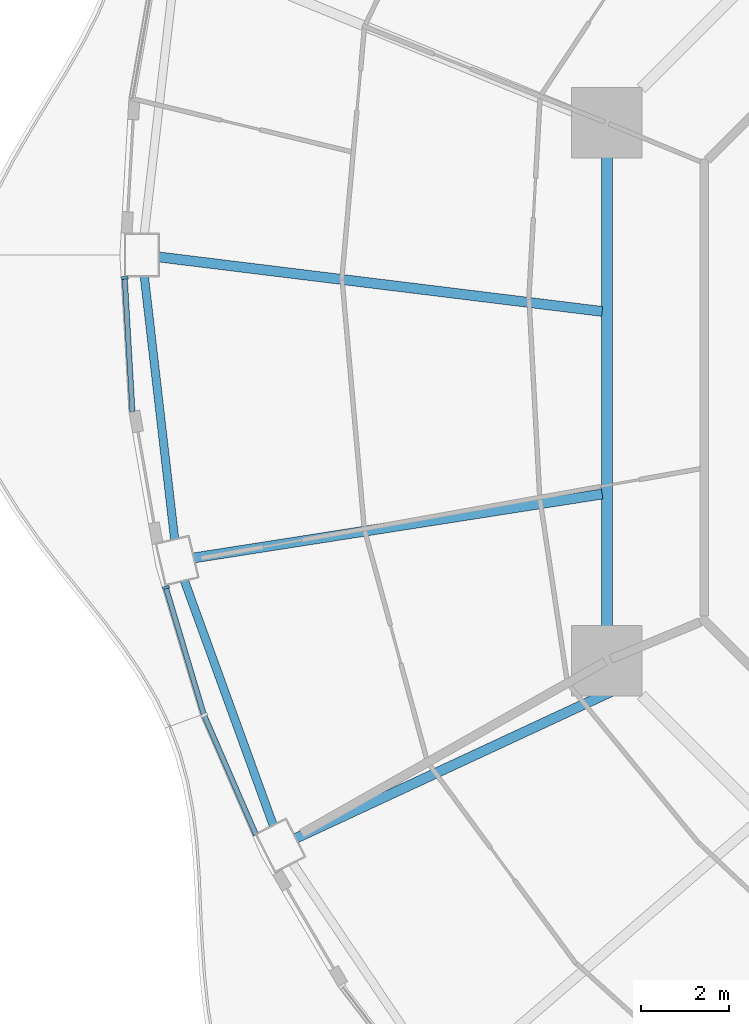
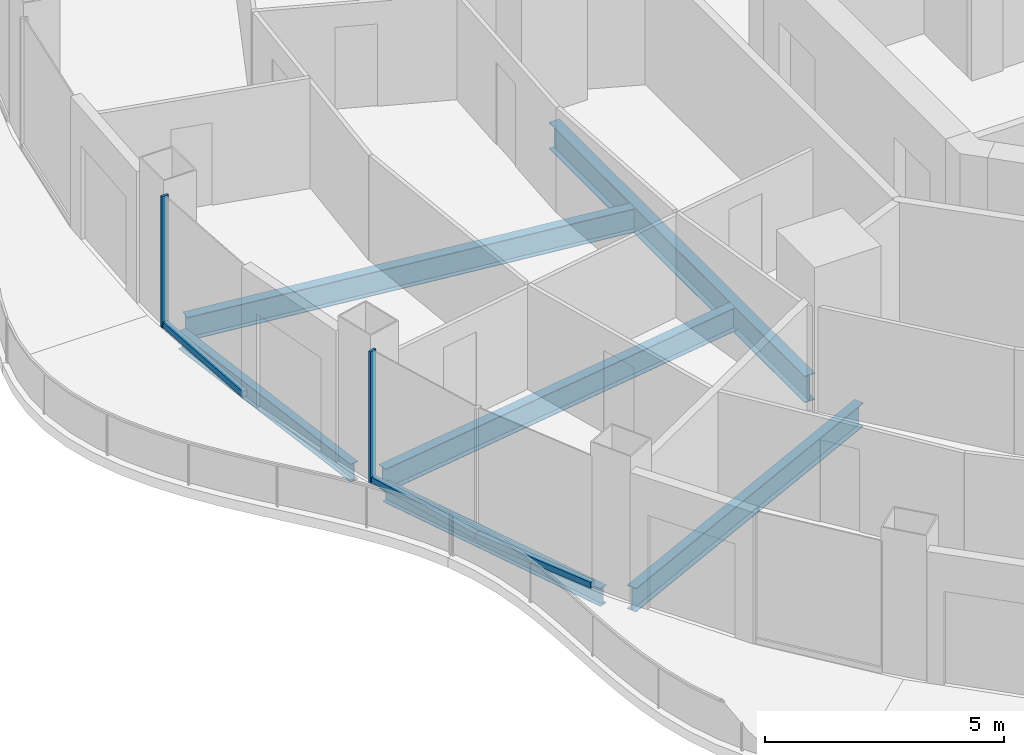
# One storey, part 3 of 18: 6 beams, 5 members, 3 elements without a shape of their own.
"""IFC4 building model written with IfcOpenShell, lengths in metres."""

from ifc_helpers import new_model, si_unit, direction, frame, origin, origin_2d, place, context, subcontext, project, spatial, rectangle, i_section, extrude, material, layer, layer_set, material_profile, profile_set, type_object, element, aggregate, save


model = new_model("IFC4")

# Units and contexts
model_context = context("Model", 3, precision=1e-05, world=origin(), true_north=direction((0.0, 1.0)))
body_context = subcontext(model_context, "Body", "Model", "MODEL_VIEW")
ifc_project = project(units=[si_unit("LENGTHUNIT", "METRE"), si_unit("AREAUNIT", "SQUARE_METRE"), si_unit("VOLUMEUNIT", "CUBIC_METRE"), si_unit("PLANEANGLEUNIT", "RADIAN"), si_unit("MASSUNIT", "GRAM", prefix="KILO")], contexts=[model_context])

# Site, building, storey
site_placement = place(None, origin())
site = spatial("IfcSite", under=ifc_project, at=site_placement, CompositionType="ELEMENT")
building_placement = place(site_placement, origin())
building = spatial("IfcBuilding", under=site, at=building_placement, Name="Nagisa Residences", CompositionType="ELEMENT")
storey_placement = place(building_placement, frame((0.0, 0.0, 249.199951171875)))
storey = spatial("IfcBuildingStorey", under=building, at=storey_placement, Name="L63", CompositionType="ELEMENT", Elevation=249.199951171875)

# Curtain wall, member
ifc_material_1 = material(Name="Concrete-coloured aluminium curtain wall system", Category="concrete")
ifc_layer = layer(ifc_material_1, 0.159912109375)
ifc_layer_set = layer_set([ifc_layer], Name="CW1 CURTAIN WALL")
curtain_wall_type = type_object("IfcCurtainWallType", Name="CW1 CURTAIN WALL", PredefinedType="NOTDEFINED", material=ifc_layer_set)
curtain_wall_1_placement = place(storey_placement, origin())
curtain_wall_1 = element("IfcCurtainWall", 1, at=curtain_wall_1_placement, inside=storey, type_object=curtain_wall_type, Name="cw:CW1:L63:24", PredefinedType="NOTDEFINED")
ifc_material_2 = material(Name="Concrete-coloured aluminium", Category="concrete")
ifc_material_profile_1 = material_profile(ifc_material_2, rectangle(XDim=0.159912109375, YDim=0.06005859375, at=origin_2d()), Name="CW1 MULLION 160x60")
ifc_profile_set_1 = profile_set([ifc_material_profile_1], Name="Concrete-coloured aluminium")
member_type_1 = type_object("IfcMemberType", Name="CW1 MULLION 160x60", PredefinedType="MULLION", material=ifc_profile_set_1)
member_1_placement = place(storey_placement, frame((-25.759765625, 2.59326171875, 0.0), z_axis=(0.0, 0.0, 1.0), x_axis=(0.998345305184, 0.057503492216, 0.0)))
member_1 = element("IfcMember", 2, at=member_1_placement, type_object=member_type_1, Name="CW1 mullion", PredefinedType="MULLION", context=body_context, shape_type="SweptSolid", body=[
    extrude(rectangle(XDim=0.159912109375, YDim=0.06005859375, at=origin_2d()), origin(), (0.0, 0.0, 1.0), 3.35009765625),
])

curtain_wall_2_placement = place(storey_placement, origin())
curtain_wall_2 = element("IfcCurtainWall", 3, at=curtain_wall_2_placement, inside=storey, type_object=curtain_wall_type, Name="cw:CW1:L63:26", PredefinedType="NOTDEFINED")
member_2_placement = place(storey_placement, frame((-24.82177734375, -4.456298828125, 0.0), z_axis=(0.0, 0.0, 1.0), x_axis=(0.958271310082, 0.285860274038, 0.0)))
member_2 = element("IfcMember", 4, at=member_2_placement, type_object=member_type_1, Name="CW1 mullion", PredefinedType="MULLION", context=body_context, shape_type="SweptSolid", body=[
    extrude(rectangle(XDim=0.159912109375, YDim=0.06005859375, at=origin_2d()), origin(), (0.0, 0.0, 1.0), 3.35009765625),
])

# Member
ifc_material_3 = material(Name="Concrete-coloured aluminium", Category="concrete")
ifc_material_profile_2 = material_profile(ifc_material_3, rectangle(XDim=0.1201171875, YDim=0.14990234375, at=origin_2d()), Name="CW1 TRANSOM 120x150")
ifc_profile_set_2 = profile_set([ifc_material_profile_2], Name="Concrete-coloured aluminium")
member_type_2 = type_object("IfcMemberType", Name="CW1 TRANSOM 120x150", PredefinedType="USERDEFINED", material=ifc_profile_set_2)
member_3_placement = place(storey_placement, frame((-25.761474609375, 2.623046875, 0.074951171875), z_axis=(0.057528189427, -0.998343882348, 0.0), x_axis=(0.998343882348, 0.057528189427, 0.0)))
member_3 = element("IfcMember", 5, at=member_3_placement, type_object=member_type_2, Name="CW1 transom", ObjectType="TRANSOM", PredefinedType="USERDEFINED", context=body_context, shape_type="SweptSolid", body=[
    extrude(rectangle(XDim=0.1201171875, YDim=0.14990234375, at=origin_2d()), origin(), (0.0, 0.0, 1.0), 3.0810546875),
])

aggregate(curtain_wall_1, [member_1, member_3])

member_4_placement = place(storey_placement, frame((-24.830322265625, -4.427734375, 0.074951171875), z_axis=(0.285881452443, -0.958264992134, 0.0), x_axis=(0.958264992134, 0.285881452443, 0.0)))
member_4 = element("IfcMember", 6, at=member_4_placement, type_object=member_type_2, Name="CW1 transom", ObjectType="TRANSOM", PredefinedType="USERDEFINED", context=body_context, shape_type="SweptSolid", body=[
    extrude(rectangle(XDim=0.1201171875, YDim=0.14990234375, at=origin_2d()), origin(), (0.0, 0.0, 1.0), 3.040283203125),
])

aggregate(curtain_wall_2, [member_2, member_4])

# Curtain wall, member
curtain_wall_3_placement = place(storey_placement, origin())
curtain_wall_3 = element("IfcCurtainWall", 7, at=curtain_wall_3_placement, inside=storey, type_object=curtain_wall_type, Name="cw:CW1:L63:27", PredefinedType="NOTDEFINED")
member_5_placement = place(storey_placement, frame((-23.96435546875, -7.332275390625, 0.074951171875), z_axis=(0.397616567135, -0.917551669139, 0.0), x_axis=(0.917551669139, 0.397616567135, 0.0)))
member_5 = element("IfcMember", 8, at=member_5_placement, type_object=member_type_2, Name="CW1 transom", ObjectType="TRANSOM", PredefinedType="USERDEFINED", context=body_context, shape_type="SweptSolid", body=[
    extrude(rectangle(XDim=0.1201171875, YDim=0.14990234375, at=origin_2d()), origin(), (0.0, 0.0, 1.0), 3.001953125),
])
aggregate(curtain_wall_3, [member_5])

# Beams
ifc_material_4 = material(Name="Steel ASTM A572 Gr 50", Category="steel")
ifc_material_profile_3 = material_profile(ifc_material_4, i_section(OverallWidth=0.2529296875, OverallDepth=0.677978515625, WebThickness=0.01171875, FlangeThickness=0.016357421875, at=origin_2d()), Name="W690x125")
ifc_profile_set_3 = profile_set([ifc_material_profile_3], Name="Steel ASTM A572 Gr 50")
beam_type_1 = type_object("IfcBeamType", Name="Inner ring beam W690x125", PredefinedType="BEAM", material=ifc_profile_set_3)
beam_1_placement = place(storey_placement, frame((-14.781982421875, 5.343017578125, -0.598876953125), z_axis=(0.0, -1.0, 0.0), x_axis=(1.0, 0.0, 0.0)))
element("IfcBeam", 9, at=beam_1_placement, inside=storey, type_object=beam_type_1, Name="beam:L63:ib4", PredefinedType="BEAM", context=body_context, shape_type="SweptSolid", body=[
    extrude(i_section(OverallWidth=0.2529296875, OverallDepth=0.677978515625, WebThickness=0.01171875, FlangeThickness=0.016357421875, at=origin_2d()), origin(), (0.0, 0.0, 1.0), 10.68603515625),
])
ifc_material_5 = material(Name="Steel ASTM A572 Gr 50", Category="steel")
ifc_material_profile_4 = material_profile(ifc_material_5, i_section(OverallWidth=0.18994140625, OverallDepth=0.45703125, WebThickness=0.009033203125, FlangeThickness=0.014404296875, at=origin_2d()), Name="W460x74")
ifc_profile_set_4 = profile_set([ifc_material_profile_4], Name="Steel ASTM A572 Gr 50")
beam_type_2 = type_object("IfcBeamType", Name="Perimeter ring beam W460x74", PredefinedType="BEAM", material=ifc_profile_set_4)
beam_2_placement = place(storey_placement, frame((-25.314697265625, 2.637451171875, -0.488525390625), z_axis=(0.114650193512, -0.993405925656, 0.0), x_axis=(0.993405925656, 0.114650193512, 0.0)))
element("IfcBeam", 10, at=beam_2_placement, inside=storey, type_object=beam_type_2, Name="beam:L63:pb13", PredefinedType="BEAM", context=body_context, shape_type="SweptSolid", body=[
    extrude(i_section(OverallWidth=0.18994140625, OverallDepth=0.45703125, WebThickness=0.009033203125, FlangeThickness=0.014404296875, at=origin_2d()), origin(), (0.0, 0.0, 1.0), 6.0390625),
])
beam_3_placement = place(storey_placement, frame((-24.40185546875, -4.29638671875, -0.488525390625), z_axis=(0.341290329164, -0.939957930558, 0.0), x_axis=(0.939957930558, 0.341290329164, 0.0)))
element("IfcBeam", 11, at=beam_3_placement, inside=storey, type_object=beam_type_2, Name="beam:L63:pb14", PredefinedType="BEAM", context=body_context, shape_type="SweptSolid", body=[
    extrude(i_section(OverallWidth=0.18994140625, OverallDepth=0.45703125, WebThickness=0.009033203125, FlangeThickness=0.014404296875, at=origin_2d()), origin(), (0.0, 0.0, 1.0), 5.932373046875),
])
ifc_material_6 = material(Name="Steel ASTM A572 Gr 50", Category="steel")
ifc_material_profile_5 = material_profile(ifc_material_6, i_section(OverallWidth=0.22802734375, OverallDepth=0.60302734375, WebThickness=0.010498046875, FlangeThickness=0.014892578125, at=origin_2d()), Name="W610x101")
ifc_profile_set_5 = profile_set([ifc_material_profile_5], Name="Steel ASTM A572 Gr 50")
beam_type_3 = type_object("IfcBeamType", Name="Radial beam W610x101", PredefinedType="BEAM", material=ifc_profile_set_5)
beam_4_placement = place(storey_placement, frame((-24.98974609375, 3.071044921875, -0.5615234375), z_axis=(0.992531892614, -0.121985417749, 0.0), x_axis=(0.121985417749, 0.992531892614, 0.0)))
element("IfcBeam", 12, at=beam_4_placement, inside=storey, type_object=beam_type_3, Name="beam:L63:rb13", PredefinedType="BEAM", context=body_context, shape_type="SweptSolid", body=[
    extrude(i_section(OverallWidth=0.22802734375, OverallDepth=0.60302734375, WebThickness=0.010498046875, FlangeThickness=0.014892578125, at=origin_2d()), origin(), (0.0, 0.0, 1.0), 10.177001953125),
])
beam_5_placement = place(storey_placement, frame((-24.190185546875, -3.782958984375, -0.5615234375), z_axis=(0.987991506145, 0.154508199738, 0.0), x_axis=(-0.154508199738, 0.987991506145, 0.0)))
element("IfcBeam", 13, at=beam_5_placement, inside=storey, type_object=beam_type_3, Name="beam:L63:rb14", PredefinedType="BEAM", context=body_context, shape_type="SweptSolid", body=[
    extrude(i_section(OverallWidth=0.22802734375, OverallDepth=0.60302734375, WebThickness=0.010498046875, FlangeThickness=0.014892578125, at=origin_2d()), origin(), (0.0, 0.0, 1.0), 9.414306640625),
])
beam_6_placement = place(storey_placement, frame((-21.867431640625, -10.1669921875, -0.5615234375), z_axis=(0.906781531642, 0.421600822903, 0.0), x_axis=(-0.421600822903, 0.906781531642, 0.0)))
element("IfcBeam", 14, at=beam_6_placement, inside=storey, type_object=beam_type_3, Name="beam:L63:rb15", PredefinedType="BEAM", context=body_context, shape_type="SweptSolid", body=[
    extrude(i_section(OverallWidth=0.22802734375, OverallDepth=0.60302734375, WebThickness=0.010498046875, FlangeThickness=0.014892578125, at=origin_2d()), origin(), (0.0, 0.0, 1.0), 8.263427734375),
])

save(model, "model.ifc")
